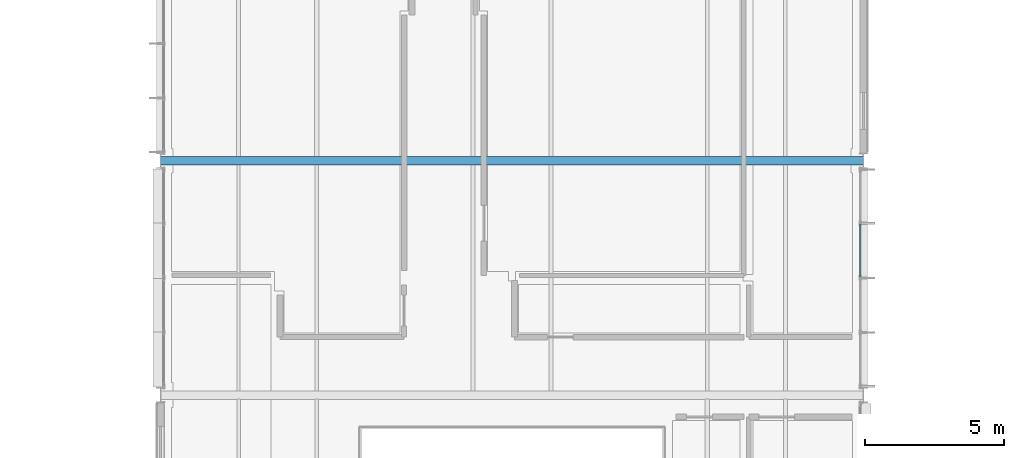
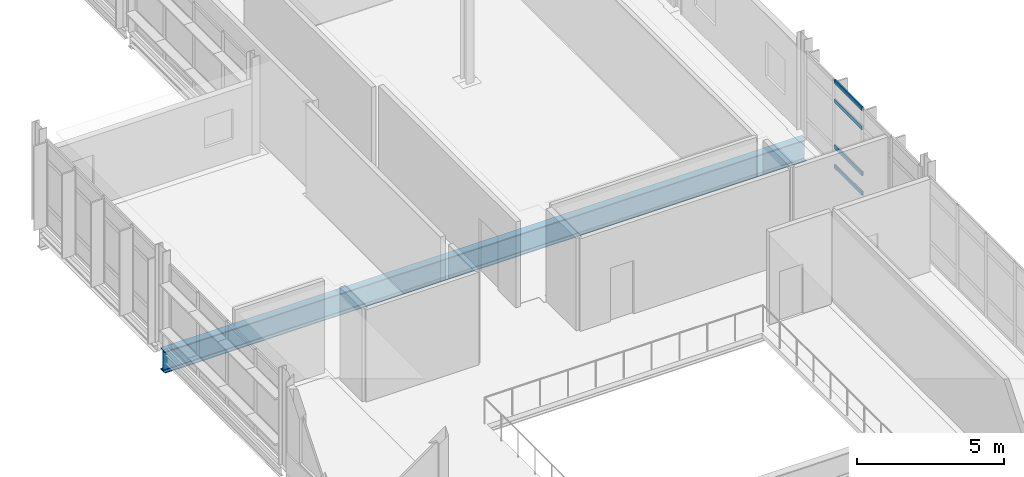
# One storey, part 63 of 151: 4 members, 1 beam, 1 element without a shape of its own.
"""IFC4 building model written with IfcOpenShell, lengths in metres."""

from ifc_helpers import new_model, si_unit, direction, frame, origin, origin_2d, place, context, subcontext, project, spatial, hollow_rectangle, i_section, extrude, material, material_profile, profile_set, type_object, element, aggregate, save


model = new_model("IFC4")

# Units and contexts
model_context = context("Model", 3, precision=1e-05, world=origin(), true_north=direction((0.0, 1.0)))
body_context = subcontext(model_context, "Body", "Model", "MODEL_VIEW")
ifc_project = project(units=[si_unit("LENGTHUNIT", "METRE"), si_unit("AREAUNIT", "SQUARE_METRE"), si_unit("VOLUMEUNIT", "CUBIC_METRE"), si_unit("PLANEANGLEUNIT", "RADIAN"), si_unit("MASSUNIT", "GRAM", prefix="KILO")], contexts=[model_context])

# Site, building, storey
site_placement = place(None, origin())
site = spatial("IfcSite", under=ifc_project, at=site_placement, CompositionType="ELEMENT")
building_placement = place(site_placement, origin())
building = spatial("IfcBuilding", under=site, at=building_placement, Name="Mersafa Astral City Hall", CompositionType="ELEMENT")
storey_placement = place(building_placement, frame((0.0, 0.0, 9.89990234375)))
storey = spatial("IfcBuildingStorey", under=building, at=storey_placement, Name="L02", CompositionType="ELEMENT", Elevation=9.89990234375)

# Curtain wall, members
ifc_material_1 = material(Name="Anodised bronze aluminium framing", Category="aluminium")
curtain_wall_type = type_object("IfcCurtainWallType", Name="ENV-CW-1", PredefinedType="USERDEFINED", material=ifc_material_1)
curtain_wall_placement = place(storey_placement, origin())
curtain_wall = element("IfcCurtainWall", 1, at=curtain_wall_placement, inside=storey, type_object=curtain_wall_type, Name="L02 Unitised solar curtain wall 114", ObjectType="UNITISED CURTAIN WALL", PredefinedType="USERDEFINED")
ifc_material_profile_1 = material_profile(ifc_material_1, hollow_rectangle(XDim=0.06005859375, YDim=0.159912109375, WallThickness=0.00390625, at=origin_2d()), Name="RHS 60x160x4")
ifc_profile_set_1 = profile_set([ifc_material_profile_1], Name="Anodised bronze aluminium framing")
member_type = type_object("IfcMemberType", Name="ENV-CW-TRN-2", PredefinedType="USERDEFINED", material=ifc_profile_set_1)
member_1_placement = place(storey_placement, frame((117.47998046875, 79.830078125, 0.028076171875), z_axis=(0.0, 1.0, 0.0), x_axis=(-1.0, 0.0, 0.0)))
member_1 = element("IfcMember", 2, at=member_1_placement, type_object=member_type, Name="CW-1 transom 3.1", ObjectType="TRANSOM", PredefinedType="USERDEFINED", context=body_context, shape_type="SweptSolid", body=[
    extrude(hollow_rectangle(XDim=0.06005859375, YDim=0.159912109375, WallThickness=0.00390625, at=origin_2d()), origin(), (0.0, 0.0, 1.0), 1.896484375),
])
member_2_placement = place(storey_placement, frame((117.47998046875, 79.830078125, 0.85009765625), z_axis=(0.0, 1.0, 0.0), x_axis=(-1.0, 0.0, 0.0)))
member_2 = element("IfcMember", 3, at=member_2_placement, type_object=member_type, Name="CW-1 transom 3.2", ObjectType="TRANSOM", PredefinedType="USERDEFINED", context=body_context, shape_type="SweptSolid", body=[
    extrude(hollow_rectangle(XDim=0.06005859375, YDim=0.159912109375, WallThickness=0.00390625, at=origin_2d()), origin(), (0.0, 0.0, 1.0), 1.896484375),
])
member_3_placement = place(storey_placement, frame((117.47998046875, 79.830078125, 2.75), z_axis=(0.0, 1.0, 0.0), x_axis=(-1.0, 0.0, 0.0)))
member_3 = element("IfcMember", 4, at=member_3_placement, type_object=member_type, Name="CW-1 transom 3.3", ObjectType="TRANSOM", PredefinedType="USERDEFINED", context=body_context, shape_type="SweptSolid", body=[
    extrude(hollow_rectangle(XDim=0.06005859375, YDim=0.159912109375, WallThickness=0.00390625, at=origin_2d()), origin(), (0.0, 0.0, 1.0), 1.896484375),
])
member_4_placement = place(storey_placement, frame((117.47998046875, 79.830078125, 3.547119140625), z_axis=(0.0, 1.0, 0.0), x_axis=(-1.0, 0.0, 0.0)))
member_4 = element("IfcMember", 5, at=member_4_placement, type_object=member_type, Name="CW-1 transom 3.4", ObjectType="TRANSOM", PredefinedType="USERDEFINED", context=body_context, shape_type="SweptSolid", body=[
    extrude(hollow_rectangle(XDim=0.06005859375, YDim=0.159912109375, WallThickness=0.00390625, at=origin_2d()), origin(), (0.0, 0.0, 1.0), 1.896484375),
])
aggregate(curtain_wall, [member_1, member_2, member_3, member_4])

# Beam
ifc_material_2 = material(Name="Steel S355", Category="steel")
ifc_material_profile_2 = material_profile(ifc_material_2, i_section(OverallWidth=0.300048828125, OverallDepth=0.89990234375, WebThickness=0.0185546875, FlangeThickness=0.034912109375, FilletRadius=0.030029296875, at=origin_2d()), Name="HEB 900")
ifc_profile_set_2 = profile_set([ifc_material_profile_2], Name="Steel S355")
beam_type = type_object("IfcBeamType", Name="STR-BM-HEB900", PredefinedType="BEAM", material=ifc_profile_set_2)
beam_placement = place(storey_placement, frame((92.403076171875, 84.0, -0.64990234375), z_axis=(1.0, 0.0, 0.0), x_axis=(0.0, 1.0, 0.0)))
element("IfcBeam", 6, at=beam_placement, inside=storey, type_object=beam_type, Name="L02 Public Service Hall clear-span portal girder 10", PredefinedType="BEAM", context=body_context, shape_type="SweptSolid", body=[
    extrude(i_section(OverallWidth=0.300048828125, OverallDepth=0.89990234375, WebThickness=0.0185546875, FlangeThickness=0.034912109375, FilletRadius=0.030029296875, at=origin_2d()), origin(), (0.0, 0.0, 1.0), 25.19384765625),
])

save(model, "model.ifc")
